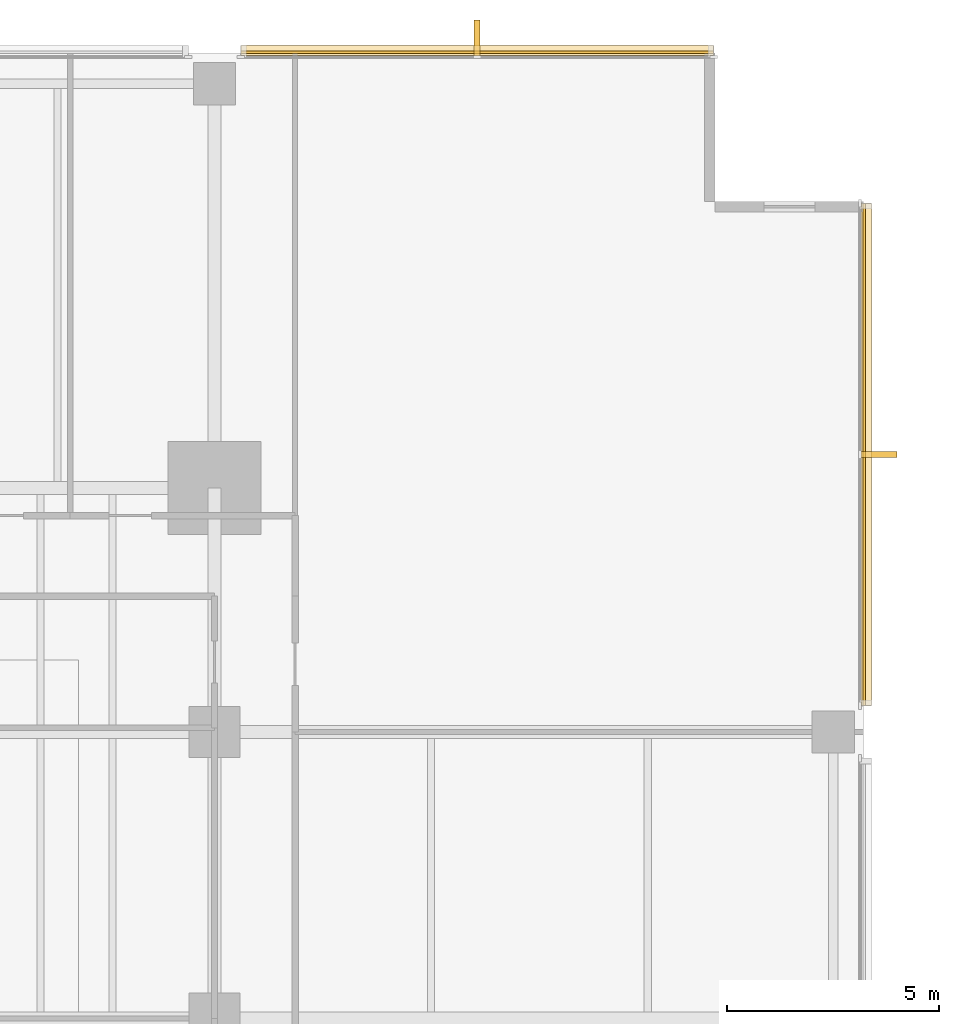
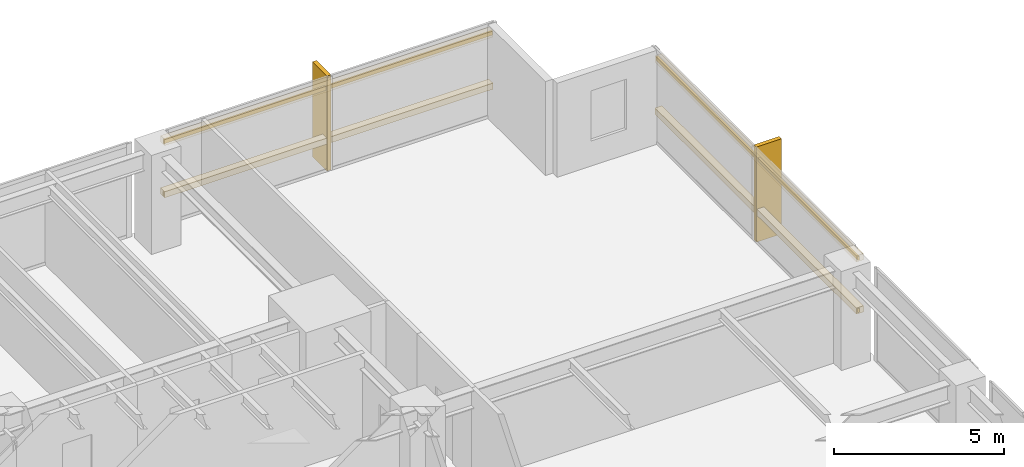
# One storey, part 15 of 15: 6 coverings, 4 shading devices.
"""IFC4 building model written with IfcOpenShell, lengths in metres."""

from ifc_helpers import new_model, si_unit, direction, frame, origin, origin_2d, place, context, subcontext, project, spatial, polyline, rectangle, outline, extrude, material, layer, layer_set, material_profile, profile_set, type_object, element, save


model = new_model("IFC4")

# Units and contexts
model_context = context("Model", 3, precision=1e-05, world=origin(), true_north=direction((0.0, 1.0)))
body_context = subcontext(model_context, "Body", "Model", "MODEL_VIEW")
ifc_project = project(units=[si_unit("LENGTHUNIT", "METRE"), si_unit("AREAUNIT", "SQUARE_METRE"), si_unit("VOLUMEUNIT", "CUBIC_METRE"), si_unit("PLANEANGLEUNIT", "RADIAN"), si_unit("MASSUNIT", "GRAM", prefix="KILO")], contexts=[model_context])

# Site, building, storey
site_placement = place(None, origin())
site = spatial("IfcSite", under=ifc_project, at=site_placement, CompositionType="ELEMENT")
building_placement = place(site_placement, origin())
building = spatial("IfcBuilding", under=site, at=building_placement, Name="Kinhvarn Gate Tower", CompositionType="ELEMENT")
storey_placement = place(building_placement, frame((0.0, 0.0, 54.0)))
storey = spatial("IfcBuildingStorey", under=building, at=storey_placement, Name="L13", CompositionType="ELEMENT", Elevation=54.0)

# Coverings
ifc_material = material(Name="Fired architectural terracotta", Category="masonry")
ifc_layer_1 = layer(ifc_material, 0.239990234375)
ifc_layer_set_1 = layer_set([ifc_layer_1], Name="Fired architectural terracotta")
covering_type_1 = type_object("IfcCoveringType", Name="COV-BAG-220", PredefinedType="CLADDING", material=ifc_layer_set_1)
for number, where, name in (
    (1, (0.0, 0.0, 0.93994140625), "Terracotta Horizontal Sunscreen Band TBG-220 (L13)"),
    (2, (0.0, 0.0, 2.81005859375), "Terracotta Horizontal Sunscreen Band TBG-220 (L13)"),
):
    element("IfcCovering", number, at=place(storey_placement, frame(where)), inside=storey, type_object=covering_type_1, Name=name, PredefinedType="CLADDING", context=body_context, shape_type="SweptSolid", body=[
        extrude(outline(polyline([(49.9599609375, 47.93994140625), (38.820068359375, 47.93994140625), (38.820068359375, 48.179931640625), (49.9599609375, 48.179931640625), (49.9599609375, 47.93994140625)])), origin(), (0.0, 0.0, 1.0), 0.219970703125),
    ])
for number, where, name in (
    (3, (0.0, 0.0, 0.93994140625), "Terracotta Horizontal Sunscreen Band TBG-220 (L13)"),
    (4, (0.0, 0.0, 2.81005859375), "Terracotta Horizontal Sunscreen Band TBG-220 (L13)"),
):
    element("IfcCovering", number, at=place(storey_placement, frame(where)), inside=storey, type_object=covering_type_1, Name=name, PredefinedType="CLADDING", context=body_context, shape_type="SweptSolid", body=[
        extrude(outline(polyline([(53.43994140625, 32.6201171875), (53.43994140625, 44.4599609375), (53.679931640625, 44.4599609375), (53.679931640625, 32.6201171875), (53.43994140625, 32.6201171875)])), origin(), (0.0, 0.0, 1.0), 0.219970703125),
    ])
ifc_layer_2 = layer(ifc_material, 0.139892578125)
ifc_layer_set_2 = layer_set([ifc_layer_2], Name="Fired architectural terracotta")
covering_type_2 = type_object("IfcCoveringType", Name="COV-FIN-850", PredefinedType="CLADDING", material=ifc_layer_set_2)
covering_1_placement = place(storey_placement, frame((0.0, 0.0, -0.02001953125)))
element("IfcCovering", 5, at=covering_1_placement, inside=storey, type_object=covering_type_2, Name="Vertical Terracotta Expressive Fin TFN-850 (L13)", PredefinedType="CLADDING", context=body_context, shape_type="SweptSolid", body=[
    extrude(outline(polyline([(44.4599609375, 47.929931640625), (44.320068359375, 47.929931640625), (44.320068359375, 48.780029296875), (44.4599609375, 48.780029296875), (44.4599609375, 47.929931640625)])), origin(), (0.0, 0.0, 1.0), 3.409912109375),
])
covering_2_placement = place(storey_placement, frame((0.0, 0.0, -0.02001953125)))
element("IfcCovering", 6, at=covering_2_placement, inside=storey, type_object=covering_type_2, Name="Vertical Terracotta Expressive Fin TFN-850 (L13)", PredefinedType="CLADDING", context=body_context, shape_type="SweptSolid", body=[
    extrude(outline(polyline([(53.429931640625, 38.469970703125), (53.429931640625, 38.610107421875), (54.280029296875, 38.610107421875), (54.280029296875, 38.469970703125), (53.429931640625, 38.469970703125)])), origin(), (0.0, 0.0, 1.0), 3.409912109375),
])

# Shading devices
ifc_material_profile = material_profile(ifc_material, rectangle(XDim=0.06005859375, YDim=0.139892578125, at=origin_2d()), Name="TC 60x140")
ifc_profile_set = profile_set([ifc_material_profile], Name="Fired architectural terracotta")
shading_device_type = type_object("IfcShadingDeviceType", Name="SHD-BAG-180", PredefinedType="USERDEFINED", material=ifc_profile_set)
for number, where, z_axis, x_axis, name in (
    (7, (49.9599609375, 48.014892578125, 1.050048828125), (-1.0, 0.0, 0.0), (0.0, -1.0, 0.0), "Fired Terracotta Baguette Screen Rod 60x140 mm (L13)"),
    (8, (49.9599609375, 48.014892578125, 2.919921875), (-1.0, 0.0, 0.0), (0.0, -1.0, 0.0), "Fired Terracotta Baguette Screen Rod 60x140 mm (L13)"),
):
    element("IfcShadingDevice", number, at=place(storey_placement, frame(where, z_axis=z_axis, x_axis=x_axis)), inside=storey, type_object=shading_device_type, Name=name, ObjectType="BAGUETTE", PredefinedType="USERDEFINED", context=body_context, shape_type="SweptSolid", body=[
        extrude(rectangle(XDim=0.06005859375, YDim=0.139892578125, at=origin_2d()), origin(), (0.0, 0.0, 1.0), 11.139892578125),
    ])
for number, where, z_axis, x_axis, name in (
    (9, (53.514892578125, 32.6201171875, 1.050048828125), (0.0, 1.0, 0.0), (-1.0, 0.0, 0.0), "Fired Terracotta Baguette Screen Rod 60x140 mm (L13)"),
    (10, (53.514892578125, 32.6201171875, 2.919921875), (0.0, 1.0, 0.0), (-1.0, 0.0, 0.0), "Fired Terracotta Baguette Screen Rod 60x140 mm (L13)"),
):
    element("IfcShadingDevice", number, at=place(storey_placement, frame(where, z_axis=z_axis, x_axis=x_axis)), inside=storey, type_object=shading_device_type, Name=name, ObjectType="BAGUETTE", PredefinedType="USERDEFINED", context=body_context, shape_type="SweptSolid", body=[
        extrude(rectangle(XDim=0.06005859375, YDim=0.139892578125, at=origin_2d()), origin(), (0.0, 0.0, 1.0), 11.83984375),
    ])

save(model, "model.ifc")
